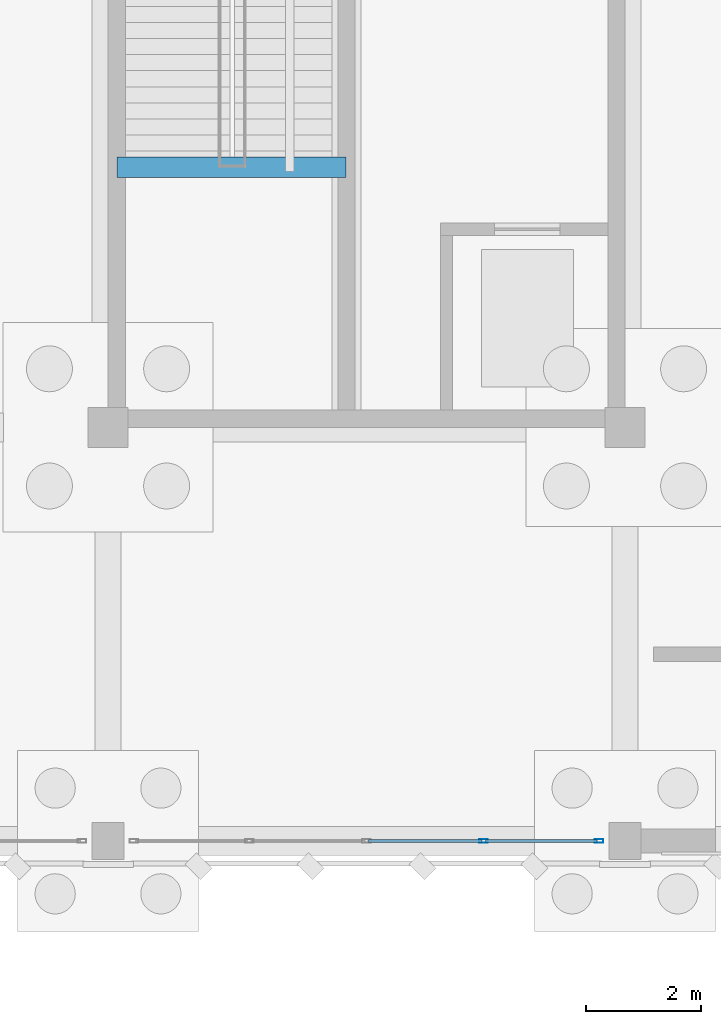
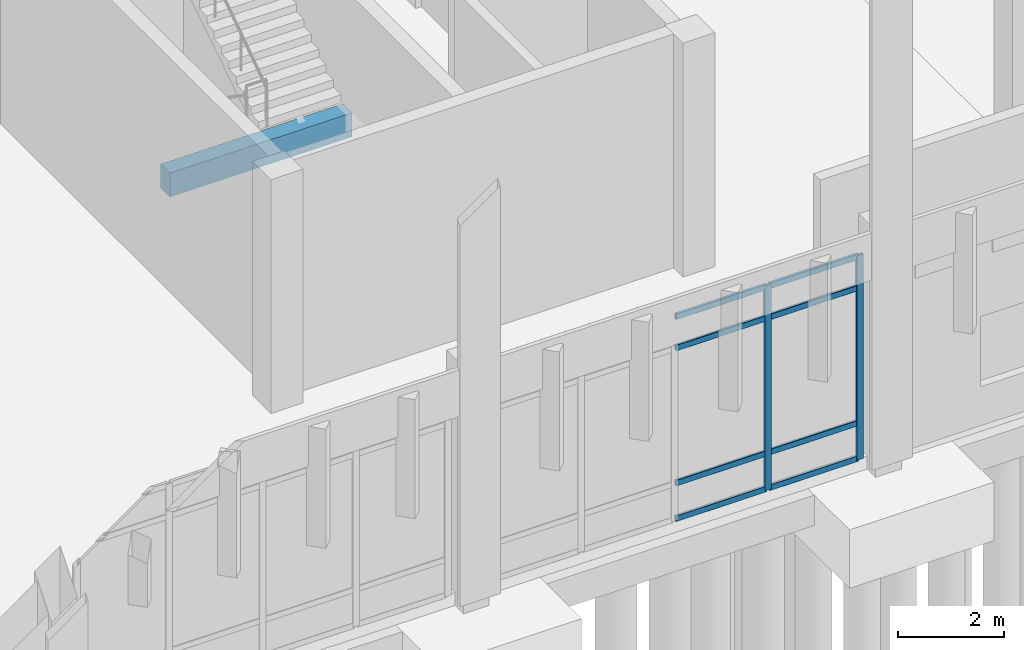
# One storey, part 56 of 109: 10 members, 1 beam, 1 element without a shape of its own.
"""IFC4 building model written with IfcOpenShell, lengths in metres."""

from ifc_helpers import new_model, si_unit, direction, frame, origin, origin_2d, place, context, subcontext, project, spatial, rectangle, hollow_rectangle, extrude, material, material_profile, profile_set, type_object, element, aggregate, save


model = new_model("IFC4")

# Units and contexts
model_context = context("Model", 3, precision=1e-05, world=origin(), true_north=direction((0.0, 1.0)))
body_context = subcontext(model_context, "Body", "Model", "MODEL_VIEW")
ifc_project = project(units=[si_unit("LENGTHUNIT", "METRE"), si_unit("AREAUNIT", "SQUARE_METRE"), si_unit("VOLUMEUNIT", "CUBIC_METRE"), si_unit("PLANEANGLEUNIT", "RADIAN"), si_unit("MASSUNIT", "GRAM", prefix="KILO")], contexts=[model_context])

# Site, building, storey
site_placement = place(None, origin())
site = spatial("IfcSite", under=ifc_project, at=site_placement, CompositionType="ELEMENT")
building_placement = place(site_placement, origin())
building = spatial("IfcBuilding", under=site, at=building_placement, Name="Lusvemor Sports Hall", CompositionType="ELEMENT")
storey_placement = place(building_placement, origin())
storey = spatial("IfcBuildingStorey", under=building, at=storey_placement, Name="L00", CompositionType="ELEMENT", Elevation=0.0)

# Beam
ifc_material_1 = material(Name="Concrete C40/50", Category="concrete")
ifc_material_profile_1 = material_profile(ifc_material_1, rectangle(XDim=0.35009765625, YDim=0.550048828125, at=origin_2d()), Name="RC350x550")
ifc_profile_set_1 = profile_set([ifc_material_profile_1], Name="Concrete C40/50")
beam_type = type_object("IfcBeamType", Name="BEAM_RC_550", PredefinedType="BEAM", material=ifc_profile_set_1)
beam_placement = place(storey_placement, frame((102.760009765625, 108.929931640625, 2.2451171875), z_axis=(1.0, 0.0, 0.0), x_axis=(0.0, 1.0, 0.0)))
element("IfcBeam", 1, at=beam_placement, inside=storey, type_object=beam_type, Name="Stair STR-C4-L00 Mid-Landing Beam", PredefinedType="BEAM", context=body_context, shape_type="SweptSolid", body=[
    extrude(rectangle(XDim=0.35009765625, YDim=0.550048828125, at=origin_2d()), origin(), (0.0, 0.0, 1.0), 3.97998046875),
])

# Curtain wall, members
ifc_material_2 = material(Name="Thermally broken bronze-anodized aluminium", Category="aluminium")
curtain_wall_type = type_object("IfcCurtainWallType", Name="CW_WING_B", PredefinedType="NOTDEFINED", material=ifc_material_2)
curtain_wall_placement = place(storey_placement, origin())
curtain_wall = element("IfcCurtainWall", 2, at=curtain_wall_placement, inside=storey, type_object=curtain_wall_type, Name="Curtain Wall CW-L00-S-3-8", PredefinedType="NOTDEFINED")
ifc_material_3 = material(Name="Thermally broken bronze-anodized aluminium", Category="aluminium")
ifc_material_profile_2 = material_profile(ifc_material_3, hollow_rectangle(XDim=0.06494140625, YDim=0.14990234375, WallThickness=0.00390625, InnerFilletRadius=0.00390625, OuterFilletRadius=0.008056640625, at=origin_2d()), Name="CWMUL150x65x4")
ifc_profile_set_2 = profile_set([ifc_material_profile_2], Name="Thermally broken bronze-anodized aluminium")
member_type_1 = type_object("IfcMemberType", Name="CW_MUL_B", PredefinedType="MULLION", material=ifc_profile_set_2)
member_1_placement = place(storey_placement, frame((111.1474609375, 97.199951171875, 0.0), z_axis=(0.0, 0.0, 1.0), x_axis=(0.0, -1.0, 0.0)))
member_1 = element("IfcMember", 3, at=member_1_placement, type_object=member_type_1, Name="CW02 mullion 1", PredefinedType="MULLION", context=body_context, shape_type="SweptSolid", body=[
    extrude(hollow_rectangle(XDim=0.06494140625, YDim=0.14990234375, WallThickness=0.00390625, InnerFilletRadius=0.00390625, OuterFilletRadius=0.008056640625, at=origin_2d()), origin(), (0.0, 0.0, 1.0), 4.719970703125),
])
member_2_placement = place(storey_placement, frame((109.139892578125, 97.199951171875, 0.0), z_axis=(0.0, 0.0, 1.0), x_axis=(0.0, -1.0, 0.0)))
member_2 = element("IfcMember", 4, at=member_2_placement, type_object=member_type_1, Name="CW02 mullion 2", PredefinedType="MULLION", context=body_context, shape_type="SweptSolid", body=[
    extrude(hollow_rectangle(XDim=0.06494140625, YDim=0.14990234375, WallThickness=0.00390625, InnerFilletRadius=0.00390625, OuterFilletRadius=0.008056640625, at=origin_2d()), origin(), (0.0, 0.0, 1.0), 4.719970703125),
])
ifc_material_4 = material(Name="Thermally broken bronze-anodized aluminium", Category="aluminium")
ifc_material_profile_3 = material_profile(ifc_material_4, hollow_rectangle(XDim=0.06005859375, YDim=0.135009765625, WallThickness=0.00390625, InnerFilletRadius=0.00390625, OuterFilletRadius=0.008056640625, at=origin_2d()), Name="CWTRN135x60x4")
ifc_profile_set_3 = profile_set([ifc_material_profile_3], Name="Thermally broken bronze-anodized aluminium")
member_type_2 = type_object("IfcMemberType", Name="CW_TRN_B", PredefinedType="USERDEFINED", material=ifc_profile_set_3)
member_3_placement = place(storey_placement, frame((111.114990234375, 97.199951171875, 0.030029296875), z_axis=(-1.0, 0.0, 0.0), x_axis=(0.0, -1.0, 0.0)))
member_3 = element("IfcMember", 5, at=member_3_placement, type_object=member_type_2, Name="CW02 transom 1.1", ObjectType="TRANSOM", PredefinedType="USERDEFINED", context=body_context, shape_type="SweptSolid", body=[
    extrude(hollow_rectangle(XDim=0.06005859375, YDim=0.135009765625, WallThickness=0.00390625, InnerFilletRadius=0.00390625, OuterFilletRadius=0.008056640625, at=origin_2d()), origin(), (0.0, 0.0, 1.0), 1.9423828125),
])
member_4_placement = place(storey_placement, frame((111.114990234375, 97.199951171875, 0.85009765625), z_axis=(-1.0, 0.0, 0.0), x_axis=(0.0, -1.0, 0.0)))
member_4 = element("IfcMember", 6, at=member_4_placement, type_object=member_type_2, Name="CW02 transom 1.2", ObjectType="TRANSOM", PredefinedType="USERDEFINED", context=body_context, shape_type="SweptSolid", body=[
    extrude(hollow_rectangle(XDim=0.06005859375, YDim=0.135009765625, WallThickness=0.00390625, InnerFilletRadius=0.00390625, OuterFilletRadius=0.008056640625, at=origin_2d()), origin(), (0.0, 0.0, 1.0), 1.9423828125),
])
member_5_placement = place(storey_placement, frame((111.114990234375, 97.199951171875, 3.969970703125), z_axis=(-1.0, 0.0, 0.0), x_axis=(0.0, -1.0, 0.0)))
member_5 = element("IfcMember", 7, at=member_5_placement, type_object=member_type_2, Name="CW02 transom 1.3", ObjectType="TRANSOM", PredefinedType="USERDEFINED", context=body_context, shape_type="SweptSolid", body=[
    extrude(hollow_rectangle(XDim=0.06005859375, YDim=0.135009765625, WallThickness=0.00390625, InnerFilletRadius=0.00390625, OuterFilletRadius=0.008056640625, at=origin_2d()), origin(), (0.0, 0.0, 1.0), 1.9423828125),
])
member_6_placement = place(storey_placement, frame((111.114990234375, 97.199951171875, 4.68994140625), z_axis=(-1.0, 0.0, 0.0), x_axis=(0.0, -1.0, 0.0)))
member_6 = element("IfcMember", 8, at=member_6_placement, type_object=member_type_2, Name="CW02 transom 1.4", ObjectType="TRANSOM", PredefinedType="USERDEFINED", context=body_context, shape_type="SweptSolid", body=[
    extrude(hollow_rectangle(XDim=0.06005859375, YDim=0.135009765625, WallThickness=0.00390625, InnerFilletRadius=0.00390625, OuterFilletRadius=0.008056640625, at=origin_2d()), origin(), (0.0, 0.0, 1.0), 1.9423828125),
])
member_7_placement = place(storey_placement, frame((109.107421875, 97.199951171875, 0.030029296875), z_axis=(-1.0, 0.0, 0.0), x_axis=(0.0, -1.0, 0.0)))
member_7 = element("IfcMember", 9, at=member_7_placement, type_object=member_type_2, Name="CW02 transom 2.1", ObjectType="TRANSOM", PredefinedType="USERDEFINED", context=body_context, shape_type="SweptSolid", body=[
    extrude(hollow_rectangle(XDim=0.06005859375, YDim=0.135009765625, WallThickness=0.00390625, InnerFilletRadius=0.00390625, OuterFilletRadius=0.008056640625, at=origin_2d()), origin(), (0.0, 0.0, 1.0), 1.974853515625),
])
member_8_placement = place(storey_placement, frame((109.107421875, 97.199951171875, 0.85009765625), z_axis=(-1.0, 0.0, 0.0), x_axis=(0.0, -1.0, 0.0)))
member_8 = element("IfcMember", 10, at=member_8_placement, type_object=member_type_2, Name="CW02 transom 2.2", ObjectType="TRANSOM", PredefinedType="USERDEFINED", context=body_context, shape_type="SweptSolid", body=[
    extrude(hollow_rectangle(XDim=0.06005859375, YDim=0.135009765625, WallThickness=0.00390625, InnerFilletRadius=0.00390625, OuterFilletRadius=0.008056640625, at=origin_2d()), origin(), (0.0, 0.0, 1.0), 1.974853515625),
])
member_9_placement = place(storey_placement, frame((109.107421875, 97.199951171875, 3.969970703125), z_axis=(-1.0, 0.0, 0.0), x_axis=(0.0, -1.0, 0.0)))
member_9 = element("IfcMember", 11, at=member_9_placement, type_object=member_type_2, Name="CW02 transom 2.3", ObjectType="TRANSOM", PredefinedType="USERDEFINED", context=body_context, shape_type="SweptSolid", body=[
    extrude(hollow_rectangle(XDim=0.06005859375, YDim=0.135009765625, WallThickness=0.00390625, InnerFilletRadius=0.00390625, OuterFilletRadius=0.008056640625, at=origin_2d()), origin(), (0.0, 0.0, 1.0), 1.974853515625),
])
member_10_placement = place(storey_placement, frame((109.107421875, 97.199951171875, 4.68994140625), z_axis=(-1.0, 0.0, 0.0), x_axis=(0.0, -1.0, 0.0)))
member_10 = element("IfcMember", 12, at=member_10_placement, type_object=member_type_2, Name="CW02 transom 2.4", ObjectType="TRANSOM", PredefinedType="USERDEFINED", context=body_context, shape_type="SweptSolid", body=[
    extrude(hollow_rectangle(XDim=0.06005859375, YDim=0.135009765625, WallThickness=0.00390625, InnerFilletRadius=0.00390625, OuterFilletRadius=0.008056640625, at=origin_2d()), origin(), (0.0, 0.0, 1.0), 1.974853515625),
])
aggregate(curtain_wall, [member_1, member_2, member_3, member_4, member_5, member_6, member_7, member_8, member_9, member_10])

save(model, "model.ifc")
